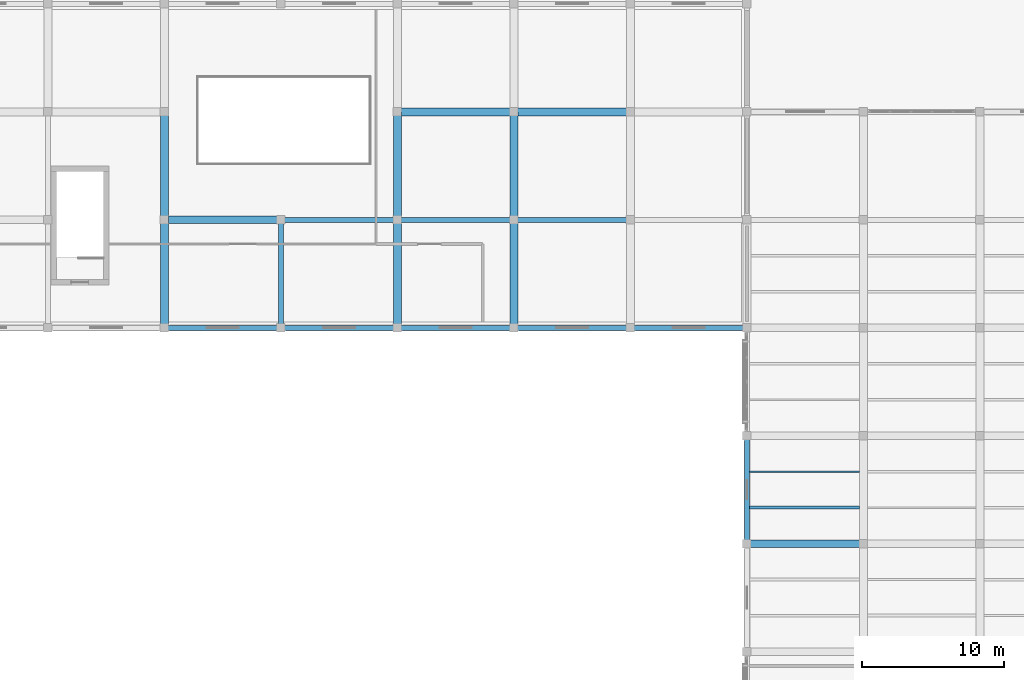
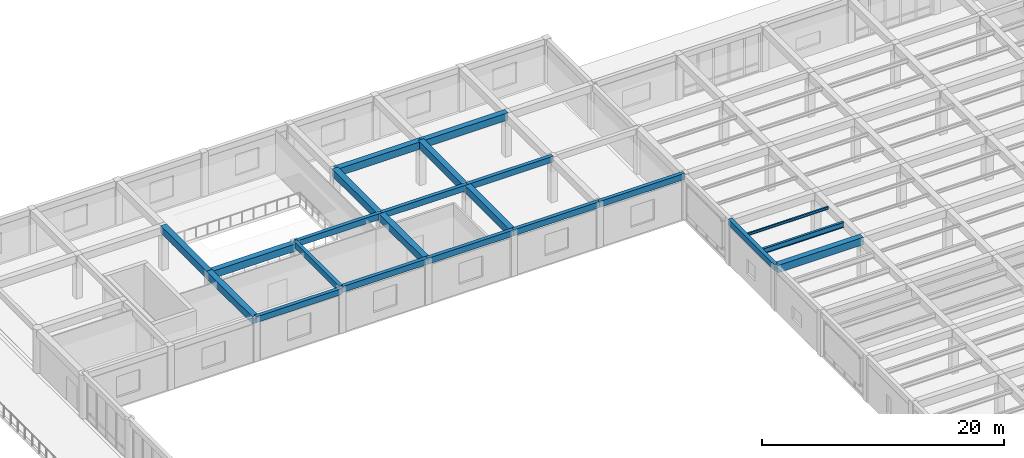
# One storey, part 17 of 57: 22 beams.
"""IFC4 building model written with IfcOpenShell, lengths in metres."""

from ifc_helpers import new_model, si_unit, direction, frame, origin, origin_2d, place, context, subcontext, project, spatial, rectangle, i_section, extrude, material, material_profile, profile_set, type_object, element, save


model = new_model("IFC4")

# Units and contexts
model_context = context("Model", 3, precision=1e-05, world=origin(), true_north=direction((0.0, 1.0)))
body_context = subcontext(model_context, "Body", "Model", "MODEL_VIEW")
ifc_project = project(units=[si_unit("LENGTHUNIT", "METRE"), si_unit("AREAUNIT", "SQUARE_METRE"), si_unit("VOLUMEUNIT", "CUBIC_METRE"), si_unit("PLANEANGLEUNIT", "RADIAN"), si_unit("MASSUNIT", "GRAM", prefix="KILO")], contexts=[model_context])

# Site, building, storey
site_placement = place(None, origin())
site = spatial("IfcSite", under=ifc_project, at=site_placement, CompositionType="ELEMENT")
building_placement = place(site_placement, origin())
building = spatial("IfcBuilding", under=site, at=building_placement, Name="Qandaris Square Conservatory and Botanical Centre", CompositionType="ELEMENT")
storey_placement = place(building_placement, frame((0.0, 0.0, 5.39990234375)))
storey = spatial("IfcBuildingStorey", under=building, at=storey_placement, Name="L01", CompositionType="ELEMENT", Elevation=5.39990234375)

# Beams
ifc_material_1 = material(Name="Steel S355", Category="steel")
ifc_material_profile_1 = material_profile(ifc_material_1, i_section(OverallWidth=0.2099609375, OverallDepth=0.550048828125, WebThickness=0.010986328125, FlangeThickness=0.01708984375, FilletRadius=0.02392578125, at=origin_2d()), Name="IPE 550")
ifc_profile_set_1 = profile_set([ifc_material_profile_1], Name="Steel S355")
beam_type_1 = type_object("IfcBeamType", Name="Long-Span Foyer Joist IPE 550", PredefinedType="JOIST", material=ifc_profile_set_1)
beam_1_placement = place(storey_placement, frame((114.77490234375, 79.933349609375, 4.235107421875), z_axis=(1.0, 0.0, 0.0), x_axis=(0.0, 1.0, 0.0)))
element("IfcBeam", 1, at=beam_1_placement, inside=storey, type_object=beam_type_1, Name="L01 Composite Joist 1183", PredefinedType="JOIST", context=body_context, shape_type="SweptSolid", body=[
    extrude(i_section(OverallWidth=0.2099609375, OverallDepth=0.550048828125, WebThickness=0.010986328125, FlangeThickness=0.01708984375, FilletRadius=0.02392578125, at=origin_2d()), origin(), (0.0, 0.0, 1.0), 7.75),
])
ifc_material_2 = material(Name="Concrete C50/60", Category="concrete")
ifc_material_profile_2 = material_profile(ifc_material_2, rectangle(XDim=0.35009765625, YDim=0.60009765625, at=origin_2d()), Name="RC-SP 350x600")
ifc_profile_set_2 = profile_set([ifc_material_profile_2], Name="Concrete C50/60")
beam_type_2 = type_object("IfcBeamType", Name="RC Edge Spandrel Beam 350x600", PredefinedType="SPANDREL", material=ifc_profile_set_2)
for number, where, z_axis, x_axis, name in (
    (2, (73.60009765625, 92.60009765625, 4.1201171875), (1.0, 0.0, 0.0), (0.0, 1.0, 0.0), "L01 Frame Beam 0985"),
    (3, (81.800048828125, 92.60009765625, 4.28515625), (1.0, 0.0, 0.0), (0.0, 1.0, 0.0), "L01 Frame Beam 0986"),
    (4, (90.0, 92.60009765625, 4.28515625), (1.0, 0.0, 0.0), (0.0, 1.0, 0.0), "L01 Frame Beam 0987"),
    (5, (98.199951171875, 92.60009765625, 4.28515625), (1.0, 0.0, 0.0), (0.0, 1.0, 0.0), "L01 Frame Beam 0988"),
):
    element("IfcBeam", number, at=place(storey_placement, frame(where, z_axis=z_axis, x_axis=x_axis)), inside=storey, type_object=beam_type_2, Name=name, PredefinedType="SPANDREL", context=body_context, shape_type="SweptSolid", body=[
        extrude(rectangle(XDim=0.35009765625, YDim=0.60009765625, at=origin_2d()), origin(), (0.0, 0.0, 1.0), 8.199951171875),
    ])
beam_2_placement = place(storey_placement, frame((106.39990234375, 92.60009765625, 4.28515625), z_axis=(1.0, 0.0, 0.0), x_axis=(0.0, 1.0, 0.0)))
element("IfcBeam", 6, at=beam_2_placement, inside=storey, type_object=beam_type_2, Name="L01 Frame Beam 0989", PredefinedType="SPANDREL", context=body_context, shape_type="SweptSolid", body=[
    extrude(rectangle(XDim=0.35009765625, YDim=0.60009765625, at=origin_2d()), origin(), (0.0, 0.0, 1.0), 8.2001953125),
])
for number, where, z_axis, x_axis, name in (
    (7, (81.800048828125, 100.199951171875, 4.28515625), (1.0, 0.0, 0.0), (0.0, 1.0, 0.0), "L01 Frame Beam 0998"),
    (8, (90.0, 100.199951171875, 4.28515625), (1.0, 0.0, 0.0), (0.0, 1.0, 0.0), "L01 Frame Beam 0999"),
    (9, (98.199951171875, 100.199951171875, 4.28515625), (1.0, 0.0, 0.0), (0.0, 1.0, 0.0), "L01 Frame Beam 1000"),
):
    element("IfcBeam", number, at=place(storey_placement, frame(where, z_axis=z_axis, x_axis=x_axis)), inside=storey, type_object=beam_type_2, Name=name, PredefinedType="SPANDREL", context=body_context, shape_type="SweptSolid", body=[
        extrude(rectangle(XDim=0.35009765625, YDim=0.60009765625, at=origin_2d()), origin(), (0.0, 0.0, 1.0), 8.199951171875),
    ])
beam_3_placement = place(storey_placement, frame((81.800048828125, 92.60009765625, 4.28515625), z_axis=(0.0, 1.0, 0.0), x_axis=(-1.0, 0.0, 0.0)))
element("IfcBeam", 10, at=beam_3_placement, inside=storey, type_object=beam_type_2, Name="L01 Frame Beam 1054", PredefinedType="SPANDREL", context=body_context, shape_type="SweptSolid", body=[
    extrude(rectangle(XDim=0.35009765625, YDim=0.60009765625, at=origin_2d()), origin(), (0.0, 0.0, 1.0), 7.599853515625),
])
beam_4_placement = place(storey_placement, frame((114.60009765625, 77.39990234375, 4.22021484375), z_axis=(0.0, 1.0, 0.0), x_axis=(-1.0, 0.0, 0.0)))
element("IfcBeam", 11, at=beam_4_placement, inside=storey, type_object=beam_type_2, Name="L01 Frame Beam 1078", PredefinedType="SPANDREL", context=body_context, shape_type="SweptSolid", body=[
    extrude(rectangle(XDim=0.35009765625, YDim=0.60009765625, at=origin_2d()), origin(), (0.0, 0.0, 1.0), 7.60009765625),
])
ifc_material_profile_3 = material_profile(ifc_material_2, rectangle(XDim=0.550048828125, YDim=0.75, at=origin_2d()), Name="RC-BM 550x750")
ifc_profile_set_3 = profile_set([ifc_material_profile_3], Name="Concrete C50/60")
beam_type_3 = type_object("IfcBeamType", Name="RC Plinth Girder 550x750", PredefinedType="BEAM", material=ifc_profile_set_3)
for number, where, z_axis, x_axis, name in (
    (12, (114.60009765625, 77.39990234375, 4.14501953125), (1.0, 0.0, 0.0), (0.0, 1.0, 0.0), "L01 Frame Beam 0971"),
    (13, (73.60009765625, 100.199951171875, 4.045166015625), (1.0, 0.0, 0.0), (0.0, 1.0, 0.0), "L01 Frame Beam 0997"),
    (14, (90.0, 107.800048828125, 4.045166015625), (1.0, 0.0, 0.0), (0.0, 1.0, 0.0), "L01 Frame Beam 1010"),
    (15, (98.199951171875, 107.800048828125, 4.045166015625), (1.0, 0.0, 0.0), (0.0, 1.0, 0.0), "L01 Frame Beam 1011"),
):
    element("IfcBeam", number, at=place(storey_placement, frame(where, z_axis=z_axis, x_axis=x_axis)), inside=storey, type_object=beam_type_3, Name=name, PredefinedType="BEAM", context=body_context, shape_type="SweptSolid", body=[
        extrude(rectangle(XDim=0.550048828125, YDim=0.75, at=origin_2d()), origin(), (0.0, 0.0, 1.0), 8.199951171875),
    ])
beam_5_placement = place(storey_placement, frame((73.60009765625, 92.60009765625, 4.045166015625), z_axis=(0.0, 1.0, 0.0), x_axis=(-1.0, 0.0, 0.0)))
element("IfcBeam", 16, at=beam_5_placement, inside=storey, type_object=beam_type_3, Name="L01 Frame Beam 1051", PredefinedType="BEAM", context=body_context, shape_type="SweptSolid", body=[
    extrude(rectangle(XDim=0.550048828125, YDim=0.75, at=origin_2d()), origin(), (0.0, 0.0, 1.0), 7.599853515625),
])
beam_6_placement = place(storey_placement, frame((73.60009765625, 100.199951171875, 4.045166015625), z_axis=(0.0, 1.0, 0.0), x_axis=(-1.0, 0.0, 0.0)))
element("IfcBeam", 17, at=beam_6_placement, inside=storey, type_object=beam_type_3, Name="L01 Frame Beam 1052", PredefinedType="BEAM", context=body_context, shape_type="SweptSolid", body=[
    extrude(rectangle(XDim=0.550048828125, YDim=0.75, at=origin_2d()), origin(), (0.0, 0.0, 1.0), 7.60009765625),
])
beam_7_placement = place(storey_placement, frame((90.0, 92.60009765625, 4.210205078125), z_axis=(0.0, 1.0, 0.0), x_axis=(-1.0, 0.0, 0.0)))
element("IfcBeam", 18, at=beam_7_placement, inside=storey, type_object=beam_type_3, Name="L01 Frame Beam 1055", PredefinedType="BEAM", context=body_context, shape_type="SweptSolid", body=[
    extrude(rectangle(XDim=0.550048828125, YDim=0.75, at=origin_2d()), origin(), (0.0, 0.0, 1.0), 7.599853515625),
])
beam_8_placement = place(storey_placement, frame((90.0, 100.199951171875, 4.045166015625), z_axis=(0.0, 1.0, 0.0), x_axis=(-1.0, 0.0, 0.0)))
element("IfcBeam", 19, at=beam_8_placement, inside=storey, type_object=beam_type_3, Name="L01 Frame Beam 1056", PredefinedType="BEAM", context=body_context, shape_type="SweptSolid", body=[
    extrude(rectangle(XDim=0.550048828125, YDim=0.75, at=origin_2d()), origin(), (0.0, 0.0, 1.0), 7.60009765625),
])
beam_9_placement = place(storey_placement, frame((98.199951171875, 92.60009765625, 4.210205078125), z_axis=(0.0, 1.0, 0.0), x_axis=(-1.0, 0.0, 0.0)))
element("IfcBeam", 20, at=beam_9_placement, inside=storey, type_object=beam_type_3, Name="L01 Frame Beam 1061", PredefinedType="BEAM", context=body_context, shape_type="SweptSolid", body=[
    extrude(rectangle(XDim=0.550048828125, YDim=0.75, at=origin_2d()), origin(), (0.0, 0.0, 1.0), 7.599853515625),
])
beam_10_placement = place(storey_placement, frame((98.199951171875, 100.199951171875, 4.045166015625), z_axis=(0.0, 1.0, 0.0), x_axis=(-1.0, 0.0, 0.0)))
element("IfcBeam", 21, at=beam_10_placement, inside=storey, type_object=beam_type_3, Name="L01 Frame Beam 1062", PredefinedType="BEAM", context=body_context, shape_type="SweptSolid", body=[
    extrude(rectangle(XDim=0.550048828125, YDim=0.75, at=origin_2d()), origin(), (0.0, 0.0, 1.0), 7.60009765625),
])
ifc_material_profile_4 = material_profile(ifc_material_1, i_section(OverallWidth=0.135009765625, OverallDepth=0.27001953125, WebThickness=0.006591796875, FlangeThickness=0.01025390625, FilletRadius=0.014892578125, at=origin_2d()), Name="IPE 270")
ifc_profile_set_4 = profile_set([ifc_material_profile_4], Name="Steel S355")
beam_type_4 = type_object("IfcBeamType", Name="Steel Floor Joist IPE 270", PredefinedType="JOIST", material=ifc_profile_set_4)
beam_11_placement = place(storey_placement, frame((114.77490234375, 82.466796875, 4.375), z_axis=(1.0, 0.0, 0.0), x_axis=(0.0, 1.0, 0.0)))
element("IfcBeam", 22, at=beam_11_placement, inside=storey, type_object=beam_type_4, Name="L01 Composite Joist 1184", PredefinedType="JOIST", context=body_context, shape_type="SweptSolid", body=[
    extrude(i_section(OverallWidth=0.135009765625, OverallDepth=0.27001953125, WebThickness=0.006591796875, FlangeThickness=0.01025390625, FilletRadius=0.014892578125, at=origin_2d()), origin(), (0.0, 0.0, 1.0), 7.75),
])

save(model, "model.ifc")
